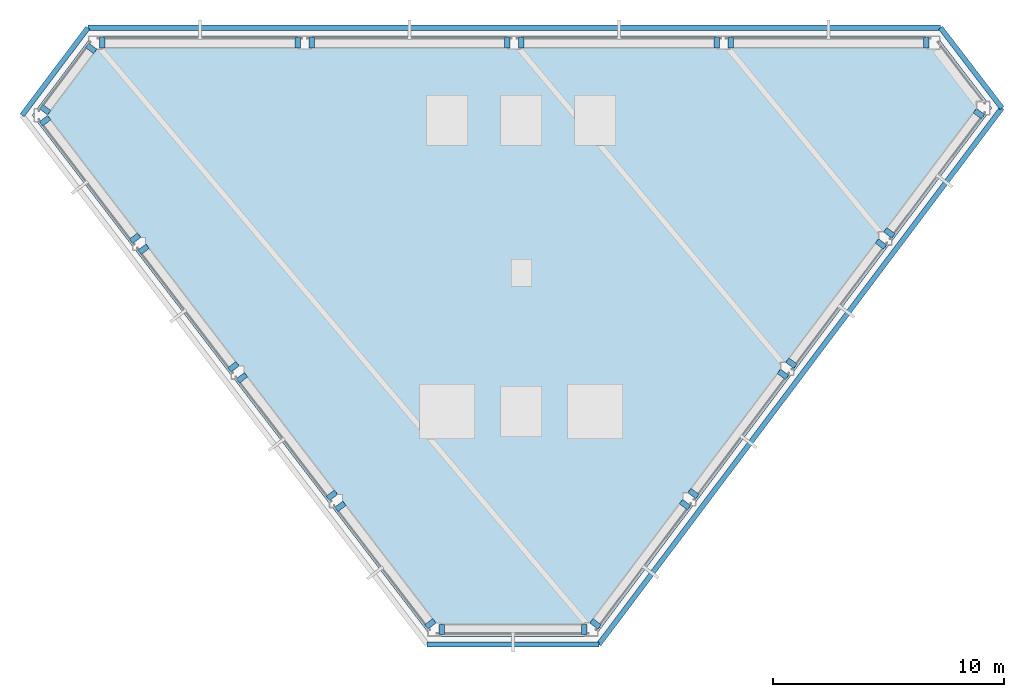
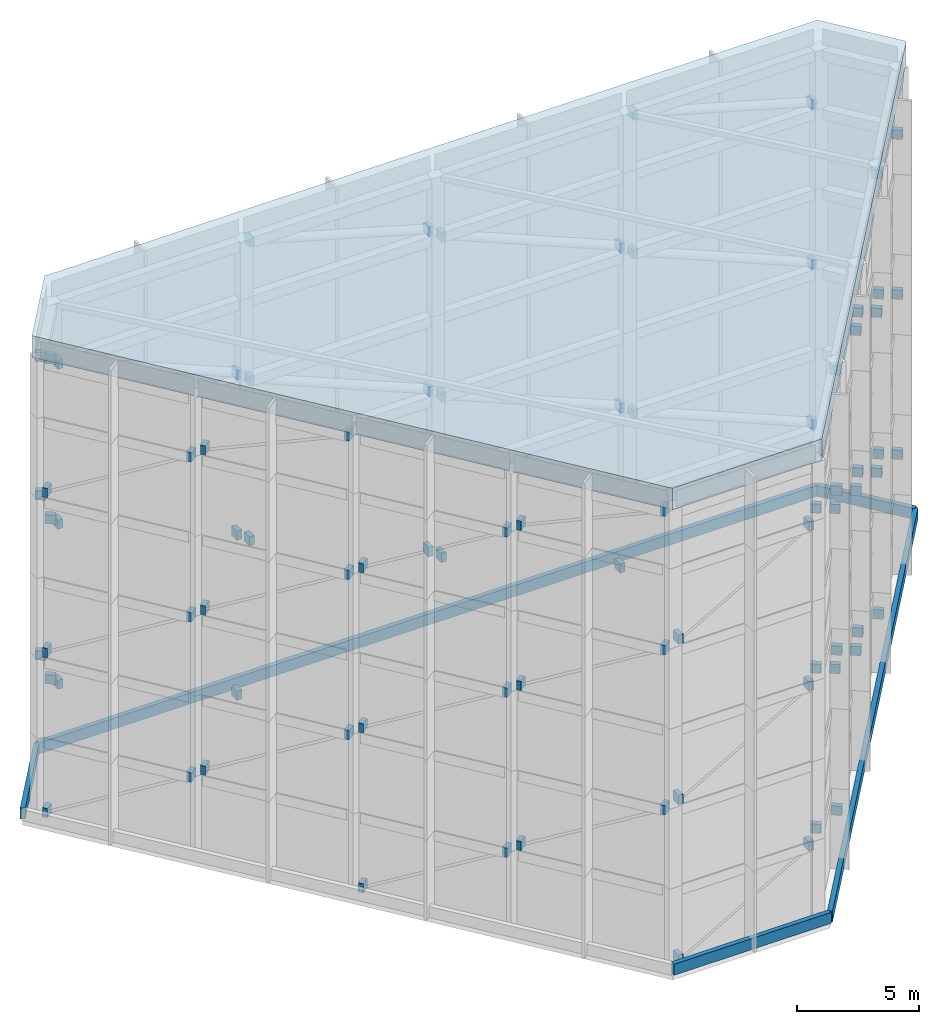
# One storey, part 6 of 6: 84 discrete accessories, 5 walls, 1 roof.
"""IFC4 building model written with IfcOpenShell, lengths in metres."""

from ifc_helpers import new_model, si_unit, direction, frame, frame_2d, origin, origin_2d, place, context, subcontext, project, spatial, polyline, rectangle, outline, extrude, material, layer, layer_set, type_object, element, save


model = new_model("IFC4")

# Units and contexts
model_context = context("Model", 3, precision=1e-05, world=origin(), true_north=direction((0.0, 1.0)))
body_context = subcontext(model_context, "Body", "Model", "MODEL_VIEW")
ifc_project = project(units=[si_unit("LENGTHUNIT", "METRE"), si_unit("AREAUNIT", "SQUARE_METRE"), si_unit("VOLUMEUNIT", "CUBIC_METRE"), si_unit("PLANEANGLEUNIT", "RADIAN"), si_unit("MASSUNIT", "GRAM", prefix="KILO")], contexts=[model_context])

# Site, building, storey
site_placement = place(None, origin())
site = spatial("IfcSite", under=ifc_project, at=site_placement, CompositionType="ELEMENT")
building_placement = place(site_placement, origin())
building = spatial("IfcBuilding", under=site, at=building_placement, Name="Zarrinselat Tower", CompositionType="ELEMENT")
storey_placement = place(building_placement, frame((0.0, 0.0, 303.280029296875)))
storey = spatial("IfcBuildingStorey", under=building, at=storey_placement, Name="RF", CompositionType="ELEMENT", Elevation=303.280029296875)

# Walls
ifc_material_1 = material(Name="Precast concrete C40/50", Category="concrete")
ifc_layer_1 = layer(ifc_material_1, 0.219970703125)
ifc_layer_set_1 = layer_set([ifc_layer_1], Name="Precast concrete C40/50")
wall_type = type_object("IfcWallType", Name="WAL-PARAPET-220", PredefinedType="PARAPET", material=ifc_layer_set_1)
wall_1_placement = place(storey_placement, frame((19.64794921875, 47.39990234375, 0.0), z_axis=(0.0, 0.0, 1.0), x_axis=(1.0, 0.0, 0.0)))
element("IfcWall", 1, at=wall_1_placement, inside=storey, type_object=wall_type, Name="RF Roof Perimeter Parapet 1", PredefinedType="PARAPET", context=body_context, shape_type="SweptSolid", body=[
    extrude(rectangle(XDim=36.883056640625, YDim=0.219970703125, at=frame_2d((18.44140625, 0.0))), origin(), (0.0, 0.0, 1.0), 0.550048828125),
])
wall_2_placement = place(storey_placement, frame((16.80029296875, 43.611572265625, 0.0), z_axis=(0.0, 0.0, 1.0), x_axis=(0.600865092458, 0.799350449218, 0.0)))
element("IfcWall", 2, at=wall_2_placement, inside=storey, type_object=wall_type, Name="RF Roof Perimeter Parapet 2", PredefinedType="PARAPET", context=body_context, shape_type="SweptSolid", body=[
    extrude(rectangle(XDim=4.7392578125, YDim=0.219970703125, at=frame_2d((2.36962890625, 0.0))), origin(), (0.0, 0.0, 1.0), 0.550048828125),
])
wall_3_placement = place(storey_placement, frame((34.32373046875, 20.723388671875, 0.0), z_axis=(0.0, 0.0, 1.0), x_axis=(1.0, 0.0, 0.0)))
element("IfcWall", 3, at=wall_3_placement, inside=storey, type_object=wall_type, Name="RF Roof Perimeter Parapet 4", PredefinedType="PARAPET", context=body_context, shape_type="SweptSolid", body=[
    extrude(rectangle(XDim=7.424560546875, YDim=0.219970703125, at=frame_2d((3.71240234375, 0.0))), origin(), (0.0, 0.0, 1.0), 0.550048828125),
])
wall_4_placement = place(storey_placement, frame((41.748291015625, 20.723388671875, 0.0), z_axis=(0.0, 0.0, 1.0), x_axis=(0.600848789876, 0.799362703474, 0.0)))
element("IfcWall", 4, at=wall_4_placement, inside=storey, type_object=wall_type, Name="RF Roof Perimeter Parapet 5", PredefinedType="PARAPET", context=body_context, shape_type="SweptSolid", body=[
    extrude(rectangle(XDim=29.02783203125, YDim=0.219970703125, at=frame_2d((14.513916015625, 0.0))), origin(), (0.0, 0.0, 1.0), 0.550048828125),
])
wall_5_placement = place(storey_placement, frame((56.531005859375, 47.39990234375, 0.0), z_axis=(0.0, 0.0, 1.0), x_axis=(0.607901704505, -0.794012290623, 0.0)))
element("IfcWall", 5, at=wall_5_placement, inside=storey, type_object=wall_type, Name="RF Roof Perimeter Parapet 6", PredefinedType="PARAPET", context=body_context, shape_type="SweptSolid", body=[
    extrude(rectangle(XDim=4.37353515625, YDim=0.219970703125, at=frame_2d((2.186767578125, 0.0))), origin(), (0.0, 0.0, 1.0), 0.550048828125),
])

# Roof
ifc_material_2 = material(Name="Concrete C40/50", Category="concrete")
ifc_layer_2 = layer(ifc_material_2, 1.080078125)
ifc_layer_set_2 = layer_set([ifc_layer_2], Name="Concrete C40/50")
roof_type = type_object("IfcRoofType", Name="ROOF-CROWN-CAP", PredefinedType="FLAT_ROOF", material=ifc_layer_set_2)
roof_placement = place(storey_placement, frame((0.0, 0.0, 22.919921875)))
element("IfcRoof", 6, at=roof_placement, inside=storey, type_object=roof_type, Name="RF CROWN FRAME Top Cap Roof", PredefinedType="FLAT_ROOF", context=body_context, shape_type="SweptSolid", body=[
    extrude(outline(polyline([(56.358154296875, 47.050048828125), (58.75048828125, 43.92529296875), (41.573486328125, 21.0732421875), (34.49658203125, 21.0732421875), (17.23974609375, 43.613525390625), (19.82275390625, 47.050048828125), (56.358154296875, 47.050048828125)])), origin(), (0.0, 0.0, 1.0), 1.080078125),
])

# Discrete accessories
ifc_material_3 = material(Name="Steel S460M", Category="steel")
discrete_accessory_type = type_object("IfcDiscreteAccessoryType", Name="ACC-BRACE-END", PredefinedType="BRACKET", material=ifc_material_3)
for number, where, z_axis, x_axis, name in (
    (7, (46.8486328125, 46.75, 0.02001953125), (0.0, 0.0, 1.0), (-1.0, 0.0, 0.0), "RF CROWN FRAME Tier 1 Brace B02 End Gusset EA"),
    (8, (38.393310546875, 46.75, 3.52001953125), (0.0, 0.0, 1.0), (-1.0, 0.0, 0.0), "RF CROWN FRAME Tier 1 Brace B02 End Gusset EB"),
    (9, (28.72998046875, 46.75, 0.02001953125), (0.0, 0.0, 1.0), (-1.0, 0.0, 0.0), "RF CROWN FRAME Tier 1 Brace B04 End Gusset EA"),
    (10, (20.274658203125, 46.75, 3.52001953125), (0.0, 0.0, 1.0), (-1.0, 0.0, 0.0), "RF CROWN FRAME Tier 1 Brace B04 End Gusset EB"),
    (11, (17.7998046875, 43.37548828125, 0.02001953125), (0.0, 0.0, 1.0), (0.607896295562, -0.79401643172, 0.0), "RF CROWN FRAME Tier 1 Brace B06 End Gusset EA"),
    (12, (21.689697265625, 38.29443359375, 3.52001953125), (0.0, 0.0, 1.0), (0.607896295562, -0.79401643172, 0.0), "RF CROWN FRAME Tier 1 Brace B06 End Gusset EB"),
    (13, (26.314208984375, 32.25439453125, 0.02001953125), (0.0, 0.0, 1.0), (0.607896295562, -0.79401643172, 0.0), "RF CROWN FRAME Tier 1 Brace B08 End Gusset EA"),
    (14, (30.2041015625, 27.173583984375, 3.52001953125), (0.0, 0.0, 1.0), (0.607896295562, -0.79401643172, 0.0), "RF CROWN FRAME Tier 1 Brace B08 End Gusset EB"),
    (15, (34.94677734375, 21.373291015625, 0.02001953125), (0.0, 0.0, 1.0), (1.0, 0.0, 0.0), "RF CROWN FRAME Tier 1 Brace B10 End Gusset EA"),
    (16, (41.12158203125, 21.373291015625, 3.52001953125), (0.0, 0.0, 1.0), (1.0, 0.0, 0.0), "RF CROWN FRAME Tier 1 Brace B10 End Gusset EB"),
    (17, (45.842529296875, 27.252197265625, 0.02001953125), (0.0, 0.0, 1.0), (0.60085267235, 0.799359785159, 0.0), "RF CROWN FRAME Tier 1 Brace B12 End Gusset EA"),
    (18, (49.71728515625, 32.406982421875, 3.52001953125), (0.0, 0.0, 1.0), (0.60085267235, 0.799359785159, 0.0), "RF CROWN FRAME Tier 1 Brace B12 End Gusset EB"),
    (19, (54.31787109375, 38.527587890625, 0.02001953125), (0.0, 0.0, 1.0), (0.600843612135, 0.799366595347, 0.0), "RF CROWN FRAME Tier 1 Brace B14 End Gusset EA"),
    (20, (58.1923828125, 43.682373046875, 3.52001953125), (0.0, 0.0, 1.0), (0.600843612135, 0.799366595347, 0.0), "RF CROWN FRAME Tier 1 Brace B14 End Gusset EB"),
    (21, (55.907958984375, 46.75, 4.02001953125), (0.0, 0.0, 1.0), (-1.0, 0.0, 0.0), "RF CROWN FRAME Tier 2 Brace B01 End Gusset EA"),
    (22, (47.45263671875, 46.75, 7.52001953125), (0.0, 0.0, 1.0), (-1.0, 0.0, 0.0), "RF CROWN FRAME Tier 2 Brace B01 End Gusset EB"),
    (23, (37.789306640625, 46.75, 4.02001953125), (0.0, 0.0, 1.0), (-1.0, 0.0, 0.0), "RF CROWN FRAME Tier 2 Brace B03 End Gusset EA"),
    (24, (29.333984375, 46.75, 7.52001953125), (0.0, 0.0, 1.0), (-1.0, 0.0, 0.0), "RF CROWN FRAME Tier 2 Brace B03 End Gusset EB"),
    (25, (19.791015625, 46.508544921875, 4.02001953125), (0.0, 0.0, 1.0), (-0.600848290829, -0.799363078587, 0.0), "RF CROWN FRAME Tier 2 Brace B05 End Gusset EA"),
    (26, (17.7978515625, 43.856689453125, 7.52001953125), (0.0, 0.0, 1.0), (-0.600848290829, -0.799363078587, 0.0), "RF CROWN FRAME Tier 2 Brace B05 End Gusset EB"),
    (27, (22.056884765625, 37.81494140625, 4.02001953125), (0.0, 0.0, 1.0), (0.607903188082, -0.794011154783, 0.0), "RF CROWN FRAME Tier 2 Brace B07 End Gusset EA"),
    (28, (25.947021484375, 32.734130859375, 7.52001953125), (0.0, 0.0, 1.0), (0.607903188082, -0.794011154783, 0.0), "RF CROWN FRAME Tier 2 Brace B07 End Gusset EB"),
    (29, (30.5712890625, 26.694091796875, 4.02001953125), (0.0, 0.0, 1.0), (0.607896295562, -0.79401643172, 0.0), "RF CROWN FRAME Tier 2 Brace B09 End Gusset EA"),
    (30, (34.461181640625, 21.613037109375, 7.52001953125), (0.0, 0.0, 1.0), (0.607896295562, -0.79401643172, 0.0), "RF CROWN FRAME Tier 2 Brace B09 End Gusset EB"),
    (31, (41.60498046875, 21.61474609375, 4.02001953125), (0.0, 0.0, 1.0), (0.600843612135, 0.799366595347, 0.0), "RF CROWN FRAME Tier 2 Brace B11 End Gusset EA"),
    (32, (45.4794921875, 26.76953125, 7.52001953125), (0.0, 0.0, 1.0), (0.600843612135, 0.799366595347, 0.0), "RF CROWN FRAME Tier 2 Brace B11 End Gusset EB"),
    (33, (50.080078125, 32.889892578125, 4.02001953125), (0.0, 0.0, 1.0), (0.60085267235, 0.799359785159, 0.0), "RF CROWN FRAME Tier 2 Brace B13 End Gusset EA"),
    (34, (53.954833984375, 38.044677734375, 7.52001953125), (0.0, 0.0, 1.0), (0.60085267235, 0.799359785159, 0.0), "RF CROWN FRAME Tier 2 Brace B13 End Gusset EB"),
    (35, (46.8486328125, 46.75, 8.02001953125), (0.0, 0.0, 1.0), (-1.0, 0.0, 0.0), "RF CROWN FRAME Tier 3 Brace B02 End Gusset EA"),
    (36, (38.393310546875, 46.75, 11.52001953125), (0.0, 0.0, 1.0), (-1.0, 0.0, 0.0), "RF CROWN FRAME Tier 3 Brace B02 End Gusset EB"),
    (37, (28.72998046875, 46.75, 8.02001953125), (0.0, 0.0, 1.0), (-1.0, 0.0, 0.0), "RF CROWN FRAME Tier 3 Brace B04 End Gusset EA"),
    (38, (20.274658203125, 46.75, 11.52001953125), (0.0, 0.0, 1.0), (-1.0, 0.0, 0.0), "RF CROWN FRAME Tier 3 Brace B04 End Gusset EB"),
    (39, (17.7998046875, 43.37548828125, 8.02001953125), (0.0, 0.0, 1.0), (0.607896295562, -0.79401643172, 0.0), "RF CROWN FRAME Tier 3 Brace B06 End Gusset EA"),
    (40, (21.689697265625, 38.29443359375, 11.52001953125), (0.0, 0.0, 1.0), (0.607896295562, -0.79401643172, 0.0), "RF CROWN FRAME Tier 3 Brace B06 End Gusset EB"),
    (41, (26.314208984375, 32.25439453125, 8.02001953125), (0.0, 0.0, 1.0), (0.607896295562, -0.79401643172, 0.0), "RF CROWN FRAME Tier 3 Brace B08 End Gusset EA"),
    (42, (30.2041015625, 27.173583984375, 11.52001953125), (0.0, 0.0, 1.0), (0.607896295562, -0.79401643172, 0.0), "RF CROWN FRAME Tier 3 Brace B08 End Gusset EB"),
    (43, (34.94677734375, 21.373291015625, 8.02001953125), (0.0, 0.0, 1.0), (1.0, 0.0, 0.0), "RF CROWN FRAME Tier 3 Brace B10 End Gusset EA"),
    (44, (41.12158203125, 21.373291015625, 11.52001953125), (0.0, 0.0, 1.0), (1.0, 0.0, 0.0), "RF CROWN FRAME Tier 3 Brace B10 End Gusset EB"),
    (45, (45.842529296875, 27.252197265625, 8.02001953125), (0.0, 0.0, 1.0), (0.60085267235, 0.799359785159, 0.0), "RF CROWN FRAME Tier 3 Brace B12 End Gusset EA"),
    (46, (49.71728515625, 32.406982421875, 11.52001953125), (0.0, 0.0, 1.0), (0.60085267235, 0.799359785159, 0.0), "RF CROWN FRAME Tier 3 Brace B12 End Gusset EB"),
    (47, (54.31787109375, 38.527587890625, 8.02001953125), (0.0, 0.0, 1.0), (0.600843612135, 0.799366595347, 0.0), "RF CROWN FRAME Tier 3 Brace B14 End Gusset EA"),
    (48, (58.1923828125, 43.682373046875, 11.52001953125), (0.0, 0.0, 1.0), (0.600843612135, 0.799366595347, 0.0), "RF CROWN FRAME Tier 3 Brace B14 End Gusset EB"),
    (49, (55.907958984375, 46.75, 12.02001953125), (0.0, 0.0, 1.0), (-1.0, 0.0, 0.0), "RF CROWN FRAME Tier 4 Brace B01 End Gusset EA"),
    (50, (47.45263671875, 46.75, 15.52001953125), (0.0, 0.0, 1.0), (-1.0, 0.0, 0.0), "RF CROWN FRAME Tier 4 Brace B01 End Gusset EB"),
    (51, (37.789306640625, 46.75, 12.02001953125), (0.0, 0.0, 1.0), (-1.0, 0.0, 0.0), "RF CROWN FRAME Tier 4 Brace B03 End Gusset EA"),
    (52, (29.333984375, 46.75, 15.52001953125), (0.0, 0.0, 1.0), (-1.0, 0.0, 0.0), "RF CROWN FRAME Tier 4 Brace B03 End Gusset EB"),
    (53, (19.791015625, 46.508544921875, 12.02001953125), (0.0, 0.0, 1.0), (-0.600848290829, -0.799363078587, 0.0), "RF CROWN FRAME Tier 4 Brace B05 End Gusset EA"),
    (54, (17.7978515625, 43.856689453125, 15.52001953125), (0.0, 0.0, 1.0), (-0.600848290829, -0.799363078587, 0.0), "RF CROWN FRAME Tier 4 Brace B05 End Gusset EB"),
    (55, (22.056884765625, 37.81494140625, 12.02001953125), (0.0, 0.0, 1.0), (0.607903188082, -0.794011154783, 0.0), "RF CROWN FRAME Tier 4 Brace B07 End Gusset EA"),
    (56, (25.947021484375, 32.734130859375, 15.52001953125), (0.0, 0.0, 1.0), (0.607903188082, -0.794011154783, 0.0), "RF CROWN FRAME Tier 4 Brace B07 End Gusset EB"),
    (57, (30.5712890625, 26.694091796875, 12.02001953125), (0.0, 0.0, 1.0), (0.607896295562, -0.79401643172, 0.0), "RF CROWN FRAME Tier 4 Brace B09 End Gusset EA"),
    (58, (34.461181640625, 21.613037109375, 15.52001953125), (0.0, 0.0, 1.0), (0.607896295562, -0.79401643172, 0.0), "RF CROWN FRAME Tier 4 Brace B09 End Gusset EB"),
    (59, (41.60498046875, 21.61474609375, 12.02001953125), (0.0, 0.0, 1.0), (0.600843612135, 0.799366595347, 0.0), "RF CROWN FRAME Tier 4 Brace B11 End Gusset EA"),
    (60, (45.4794921875, 26.76953125, 15.52001953125), (0.0, 0.0, 1.0), (0.600843612135, 0.799366595347, 0.0), "RF CROWN FRAME Tier 4 Brace B11 End Gusset EB"),
    (61, (50.080078125, 32.889892578125, 12.02001953125), (0.0, 0.0, 1.0), (0.60085267235, 0.799359785159, 0.0), "RF CROWN FRAME Tier 4 Brace B13 End Gusset EA"),
    (62, (53.954833984375, 38.044677734375, 15.52001953125), (0.0, 0.0, 1.0), (0.60085267235, 0.799359785159, 0.0), "RF CROWN FRAME Tier 4 Brace B13 End Gusset EB"),
    (63, (46.8486328125, 46.75, 16.02001953125), (0.0, 0.0, 1.0), (-1.0, 0.0, 0.0), "RF CROWN FRAME Tier 5 Brace B02 End Gusset EA"),
    (64, (38.393310546875, 46.75, 19.52001953125), (0.0, 0.0, 1.0), (-1.0, 0.0, 0.0), "RF CROWN FRAME Tier 5 Brace B02 End Gusset EB"),
    (65, (28.72998046875, 46.75, 16.02001953125), (0.0, 0.0, 1.0), (-1.0, 0.0, 0.0), "RF CROWN FRAME Tier 5 Brace B04 End Gusset EA"),
    (66, (20.274658203125, 46.75, 19.52001953125), (0.0, 0.0, 1.0), (-1.0, 0.0, 0.0), "RF CROWN FRAME Tier 5 Brace B04 End Gusset EB"),
    (67, (17.7998046875, 43.37548828125, 16.02001953125), (0.0, 0.0, 1.0), (0.607896295562, -0.79401643172, 0.0), "RF CROWN FRAME Tier 5 Brace B06 End Gusset EA"),
    (68, (21.689697265625, 38.29443359375, 19.52001953125), (0.0, 0.0, 1.0), (0.607896295562, -0.79401643172, 0.0), "RF CROWN FRAME Tier 5 Brace B06 End Gusset EB"),
    (69, (26.314208984375, 32.25439453125, 16.02001953125), (0.0, 0.0, 1.0), (0.607896295562, -0.79401643172, 0.0), "RF CROWN FRAME Tier 5 Brace B08 End Gusset EA"),
    (70, (30.2041015625, 27.173583984375, 19.52001953125), (0.0, 0.0, 1.0), (0.607896295562, -0.79401643172, 0.0), "RF CROWN FRAME Tier 5 Brace B08 End Gusset EB"),
    (71, (34.94677734375, 21.373291015625, 16.02001953125), (0.0, 0.0, 1.0), (1.0, 0.0, 0.0), "RF CROWN FRAME Tier 5 Brace B10 End Gusset EA"),
    (72, (41.12158203125, 21.373291015625, 19.52001953125), (0.0, 0.0, 1.0), (1.0, 0.0, 0.0), "RF CROWN FRAME Tier 5 Brace B10 End Gusset EB"),
    (73, (45.842529296875, 27.252197265625, 16.02001953125), (0.0, 0.0, 1.0), (0.60085267235, 0.799359785159, 0.0), "RF CROWN FRAME Tier 5 Brace B12 End Gusset EA"),
    (74, (49.71728515625, 32.406982421875, 19.52001953125), (0.0, 0.0, 1.0), (0.60085267235, 0.799359785159, 0.0), "RF CROWN FRAME Tier 5 Brace B12 End Gusset EB"),
    (75, (54.31787109375, 38.527587890625, 16.02001953125), (0.0, 0.0, 1.0), (0.600843612135, 0.799366595347, 0.0), "RF CROWN FRAME Tier 5 Brace B14 End Gusset EA"),
    (76, (58.1923828125, 43.682373046875, 19.52001953125), (0.0, 0.0, 1.0), (0.600843612135, 0.799366595347, 0.0), "RF CROWN FRAME Tier 5 Brace B14 End Gusset EB"),
    (77, (55.907958984375, 46.75, 20.02001953125), (0.0, 0.0, 1.0), (-1.0, 0.0, 0.0), "RF CROWN FRAME Tier 6 Brace B01 End Gusset EA"),
    (78, (47.45263671875, 46.75, 22.43994140625), (0.0, 0.0, 1.0), (-1.0, 0.0, 0.0), "RF CROWN FRAME Tier 6 Brace B01 End Gusset EB"),
    (79, (37.789306640625, 46.75, 20.02001953125), (0.0, 0.0, 1.0), (-1.0, 0.0, 0.0), "RF CROWN FRAME Tier 6 Brace B03 End Gusset EA"),
    (80, (29.333984375, 46.75, 22.43994140625), (0.0, 0.0, 1.0), (-1.0, 0.0, 0.0), "RF CROWN FRAME Tier 6 Brace B03 End Gusset EB"),
    (81, (19.791015625, 46.508544921875, 20.02001953125), (0.0, 0.0, 1.0), (-0.600848290829, -0.799363078587, 0.0), "RF CROWN FRAME Tier 6 Brace B05 End Gusset EA"),
    (82, (17.7978515625, 43.856689453125, 22.43994140625), (0.0, 0.0, 1.0), (-0.600848290829, -0.799363078587, 0.0), "RF CROWN FRAME Tier 6 Brace B05 End Gusset EB"),
    (83, (22.056884765625, 37.81494140625, 20.02001953125), (0.0, 0.0, 1.0), (0.607903188082, -0.794011154783, 0.0), "RF CROWN FRAME Tier 6 Brace B07 End Gusset EA"),
    (84, (25.947021484375, 32.734130859375, 22.43994140625), (0.0, 0.0, 1.0), (0.607903188082, -0.794011154783, 0.0), "RF CROWN FRAME Tier 6 Brace B07 End Gusset EB"),
    (85, (30.5712890625, 26.694091796875, 20.02001953125), (0.0, 0.0, 1.0), (0.607896295562, -0.79401643172, 0.0), "RF CROWN FRAME Tier 6 Brace B09 End Gusset EA"),
    (86, (34.461181640625, 21.613037109375, 22.43994140625), (0.0, 0.0, 1.0), (0.607896295562, -0.79401643172, 0.0), "RF CROWN FRAME Tier 6 Brace B09 End Gusset EB"),
    (87, (41.60498046875, 21.61474609375, 20.02001953125), (0.0, 0.0, 1.0), (0.600843612135, 0.799366595347, 0.0), "RF CROWN FRAME Tier 6 Brace B11 End Gusset EA"),
    (88, (45.4794921875, 26.76953125, 22.43994140625), (0.0, 0.0, 1.0), (0.600843612135, 0.799366595347, 0.0), "RF CROWN FRAME Tier 6 Brace B11 End Gusset EB"),
    (89, (50.080078125, 32.889892578125, 20.02001953125), (0.0, 0.0, 1.0), (0.60085267235, 0.799359785159, 0.0), "RF CROWN FRAME Tier 6 Brace B13 End Gusset EA"),
    (90, (53.954833984375, 38.044677734375, 22.43994140625), (0.0, 0.0, 1.0), (0.60085267235, 0.799359785159, 0.0), "RF CROWN FRAME Tier 6 Brace B13 End Gusset EB"),
):
    element("IfcDiscreteAccessory", number, at=place(storey_placement, frame(where, z_axis=z_axis, x_axis=x_axis)), inside=storey, type_object=discrete_accessory_type, Name=name, PredefinedType="BRACKET", context=body_context, shape_type="SweptSolid", body=[
        extrude(rectangle(XDim=0.239990234375, YDim=0.43994140625, at=origin_2d()), origin(), (0.0, 0.0, 1.0), 0.4599609375),
    ])

save(model, "model.ifc")
